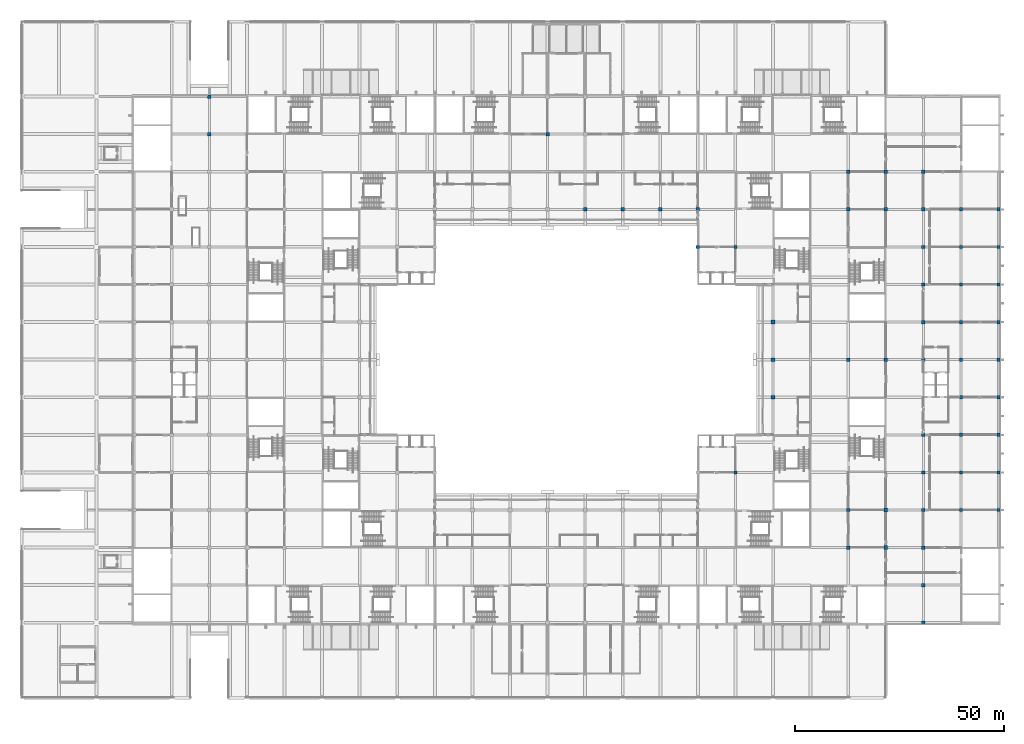
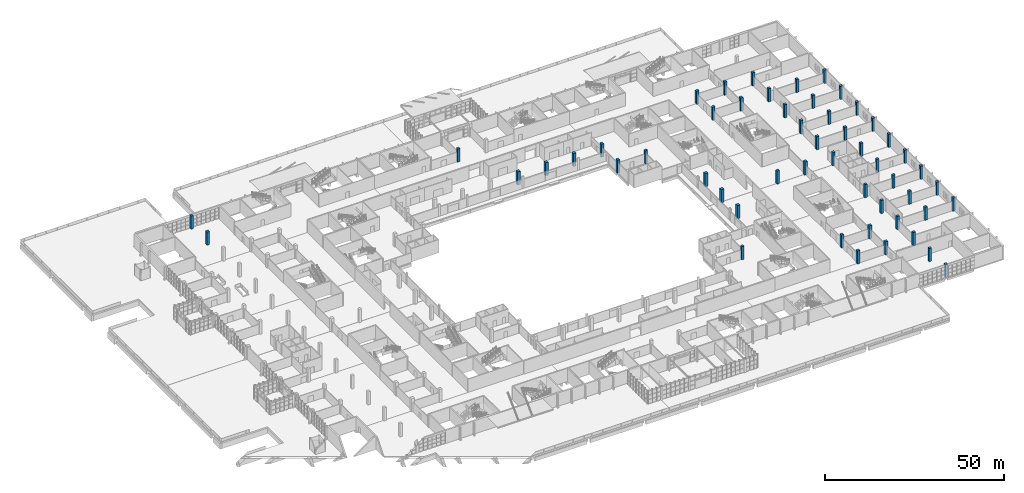
# One storey, part 10 of 168: 53 columns.
"""IFC4 building model written with IfcOpenShell, lengths in metres."""

from ifc_helpers import new_model, si_unit, direction, frame, origin, origin_2d, place, context, subcontext, project, spatial, rectangle, extrude, material, material_profile, profile_set, type_object, element, save


model = new_model("IFC4")

# Units and contexts
model_context = context("Model", 3, precision=1e-05, world=origin(), true_north=direction((0.0, 1.0)))
body_context = subcontext(model_context, "Body", "Model", "MODEL_VIEW")
ifc_project = project(units=[si_unit("LENGTHUNIT", "METRE"), si_unit("AREAUNIT", "SQUARE_METRE"), si_unit("VOLUMEUNIT", "CUBIC_METRE"), si_unit("PLANEANGLEUNIT", "RADIAN"), si_unit("MASSUNIT", "GRAM", prefix="KILO")], contexts=[model_context])

# Site, building, storey
site_placement = place(None, origin())
site = spatial("IfcSite", under=ifc_project, at=site_placement, CompositionType="ELEMENT")
building_placement = place(site_placement, origin())
building = spatial("IfcBuilding", under=site, at=building_placement, Name="Silverbay Arena", CompositionType="ELEMENT")
storey_placement = place(building_placement, frame((0.0, 0.0, 7.0)))
storey = spatial("IfcBuildingStorey", under=building, at=storey_placement, Name="L01", CompositionType="ELEMENT", Elevation=7.0)

# Columns
ifc_material_1 = material(Name="Concrete Grade C45", Category="concrete")
ifc_material_profile_1 = material_profile(ifc_material_1, rectangle(XDim=0.800048828125, YDim=0.800048828125, at=origin_2d()), Name="RC 800x800")
ifc_profile_set_1 = profile_set([ifc_material_profile_1], Name="Concrete Grade C45")
column_type_1 = type_object("IfcColumnType", Name="RC column 800x800", PredefinedType="COLUMN", material=ifc_profile_set_1)
for number, where, z_axis, x_axis, name in (
    (1, (126.0, 135.0, 0.0), (0.0, 0.0, 1.0), (1.0, 0.0, 0.0), "Column 15/R L01"),
    (2, (198.0, 36.0, 0.0), (0.0, 0.0, 1.0), (1.0, 0.0, 0.0), "Column 23/E L01"),
    (3, (198.0, 45.0, 0.0), (0.0, 0.0, 1.0), (1.0, 0.0, 0.0), "Column 23/F L01"),
    (4, (198.0, 81.0, 0.0), (0.0, 0.0, 1.0), (1.0, 0.0, 0.0), "Column 23/K L01"),
    (5, (198.0, 117.0, 0.0), (0.0, 0.0, 1.0), (1.0, 0.0, 0.0), "Column 23/P L01"),
    (6, (198.0, 126.0, 0.0), (0.0, 0.0, 1.0), (1.0, 0.0, 0.0), "Column 23/Q L01"),
    (7, (45.0, 135.0, 0.0), (0.0, 0.0, 1.0), (1.0, 0.0, 0.0), "Column 6/R L01"),
    (8, (45.0, 144.0, 0.0), (0.0, 0.0, 1.0), (1.0, 0.0, 0.0), "Column 6/S L01"),
    (9, (216.0, 18.0, 0.0), (0.0, 0.0, 1.0), (1.0, 0.0, 0.0), "Column 25/C L01"),
    (10, (216.0, 27.0, 0.0), (0.0, 0.0, 1.0), (1.0, 0.0, 0.0), "Column 25/D L01"),
    (11, (216.0, 36.0, 0.0), (0.0, 0.0, 1.0), (1.0, 0.0, 0.0), "Column 25/E L01"),
    (12, (216.0, 45.0, 0.0), (0.0, 0.0, 1.0), (1.0, 0.0, 0.0), "Column 25/F L01"),
    (13, (216.0, 54.0, 0.0), (0.0, 0.0, 1.0), (1.0, 0.0, 0.0), "Column 25/G L01"),
    (14, (216.0, 63.0, 0.0), (0.0, 0.0, 1.0), (1.0, 0.0, 0.0), "Column 25/H L01"),
    (15, (216.0, 81.0, 0.0), (0.0, 0.0, 1.0), (1.0, 0.0, 0.0), "Column 25/K L01"),
    (16, (216.0, 90.0, 0.0), (0.0, 0.0, 1.0), (1.0, 0.0, 0.0), "Column 25/L L01"),
    (17, (216.0, 99.0, 0.0), (0.0, 0.0, 1.0), (1.0, 0.0, 0.0), "Column 25/M L01"),
    (18, (216.0, 108.0, 0.0), (0.0, 0.0, 1.0), (1.0, 0.0, 0.0), "Column 25/N L01"),
    (19, (216.0, 117.0, 0.0), (0.0, 0.0, 1.0), (1.0, 0.0, 0.0), "Column 25/P L01"),
    (20, (216.0, 126.0, 0.0), (0.0, 0.0, 1.0), (1.0, 0.0, 0.0), "Column 25/Q L01"),
    (21, (225.0, 45.0, 0.0), (0.0, 0.0, 1.0), (1.0, 0.0, 0.0), "Column 26/F L01"),
    (22, (225.0, 54.0, 0.0), (0.0, 0.0, 1.0), (1.0, 0.0, 0.0), "Column 26/G L01"),
    (23, (225.0, 63.0, 0.0), (0.0, 0.0, 1.0), (1.0, 0.0, 0.0), "Column 26/H L01"),
    (24, (225.0, 72.0, 0.0), (0.0, 0.0, 1.0), (1.0, 0.0, 0.0), "Column 26/J L01"),
    (25, (225.0, 81.0, 0.0), (0.0, 0.0, 1.0), (1.0, 0.0, 0.0), "Column 26/K L01"),
    (26, (225.0, 90.0, 0.0), (0.0, 0.0, 1.0), (1.0, 0.0, 0.0), "Column 26/L L01"),
    (27, (225.0, 99.0, 0.0), (0.0, 0.0, 1.0), (1.0, 0.0, 0.0), "Column 26/M L01"),
    (28, (225.0, 108.0, 0.0), (0.0, 0.0, 1.0), (1.0, 0.0, 0.0), "Column 26/N L01"),
    (29, (225.0, 117.0, 0.0), (0.0, 0.0, 1.0), (1.0, 0.0, 0.0), "Column 26/P L01"),
    (30, (234.0, 45.0, 0.0), (0.0, 0.0, 1.0), (1.0, 0.0, 0.0), "Column 27/F L01"),
    (31, (234.0, 54.0, 0.0), (0.0, 0.0, 1.0), (1.0, 0.0, 0.0), "Column 27/G L01"),
    (32, (234.0, 63.0, 0.0), (0.0, 0.0, 1.0), (1.0, 0.0, 0.0), "Column 27/H L01"),
    (33, (234.0, 72.0, 0.0), (0.0, 0.0, 1.0), (1.0, 0.0, 0.0), "Column 27/J L01"),
    (34, (234.0, 81.0, 0.0), (0.0, 0.0, 1.0), (1.0, 0.0, 0.0), "Column 27/K L01"),
    (35, (234.0, 90.0, 0.0), (0.0, 0.0, 1.0), (1.0, 0.0, 0.0), "Column 27/L L01"),
    (36, (234.0, 99.0, 0.0), (0.0, 0.0, 1.0), (1.0, 0.0, 0.0), "Column 27/M L01"),
    (37, (234.0, 108.0, 0.0), (0.0, 0.0, 1.0), (1.0, 0.0, 0.0), "Column 27/N L01"),
    (38, (234.0, 117.0, 0.0), (0.0, 0.0, 1.0), (1.0, 0.0, 0.0), "Column 27/P L01"),
    (39, (171.0, 54.0, 0.0), (0.0, 0.0, 1.0), (1.0, 0.0, 0.0), "Column 20/G L01"),
    (40, (162.0, 108.0, 0.0), (0.0, 0.0, 1.0), (1.0, 0.0, 0.0), "Column 19/N L01"),
    (41, (162.0, 117.0, 0.0), (0.0, 0.0, 1.0), (1.0, 0.0, 0.0), "Column 19/P L01"),
    (42, (171.0, 108.0, 0.0), (0.0, 0.0, 1.0), (1.0, 0.0, 0.0), "Column 20/N L01"),
):
    element("IfcColumn", number, at=place(storey_placement, frame(where, z_axis=z_axis, x_axis=x_axis)), inside=storey, type_object=column_type_1, Name=name, PredefinedType="COLUMN", context=body_context, shape_type="SweptSolid", body=[
        extrude(rectangle(XDim=0.800048828125, YDim=0.800048828125, at=origin_2d()), origin(), (0.0, 0.0, 1.0), 4.5),
    ])
ifc_material_2 = material(Name="Concrete Grade C45", Category="concrete")
ifc_material_profile_2 = material_profile(ifc_material_2, rectangle(XDim=0.89990234375, YDim=0.89990234375, at=origin_2d()), Name="RC 900x900")
ifc_profile_set_2 = profile_set([ifc_material_profile_2], Name="Concrete Grade C45")
column_type_2 = type_object("IfcColumnType", Name="RC column 900x900", PredefinedType="COLUMN", material=ifc_profile_set_2)
for number, where, z_axis, x_axis, name in (
    (43, (207.0, 36.0, 0.0), (0.0, 0.0, 1.0), (1.0, 0.0, 0.0), "Column 24/E L01"),
    (44, (207.0, 45.0, 0.0), (0.0, 0.0, 1.0), (1.0, 0.0, 0.0), "Column 24/F L01"),
    (45, (207.0, 81.0, 0.0), (0.0, 0.0, 1.0), (1.0, 0.0, 0.0), "Column 24/K L01"),
    (46, (207.0, 117.0, 0.0), (0.0, 0.0, 1.0), (1.0, 0.0, 0.0), "Column 24/P L01"),
    (47, (207.0, 126.0, 0.0), (0.0, 0.0, 1.0), (1.0, 0.0, 0.0), "Column 24/Q L01"),
    (48, (135.0, 117.0, 0.0), (0.0, 0.0, 1.0), (1.0, 0.0, 0.0), "Column 16/P L01"),
    (49, (144.0, 117.0, 0.0), (0.0, 0.0, 1.0), (1.0, 0.0, 0.0), "Column 17/P L01"),
    (50, (153.0, 117.0, 0.0), (0.0, 0.0, 1.0), (1.0, 0.0, 0.0), "Column 18/P L01"),
    (51, (180.0, 72.0, 0.0), (0.0, 0.0, 1.0), (1.0, 0.0, 0.0), "Column 21/J L01"),
    (52, (180.0, 81.0, 0.0), (0.0, 0.0, 1.0), (1.0, 0.0, 0.0), "Column 21/K L01"),
    (53, (180.0, 90.0, 0.0), (0.0, 0.0, 1.0), (1.0, 0.0, 0.0), "Column 21/L L01"),
):
    element("IfcColumn", number, at=place(storey_placement, frame(where, z_axis=z_axis, x_axis=x_axis)), inside=storey, type_object=column_type_2, Name=name, PredefinedType="COLUMN", context=body_context, shape_type="SweptSolid", body=[
        extrude(rectangle(XDim=0.89990234375, YDim=0.89990234375, at=origin_2d()), origin(), (0.0, 0.0, 1.0), 4.5),
    ])

save(model, "model.ifc")
